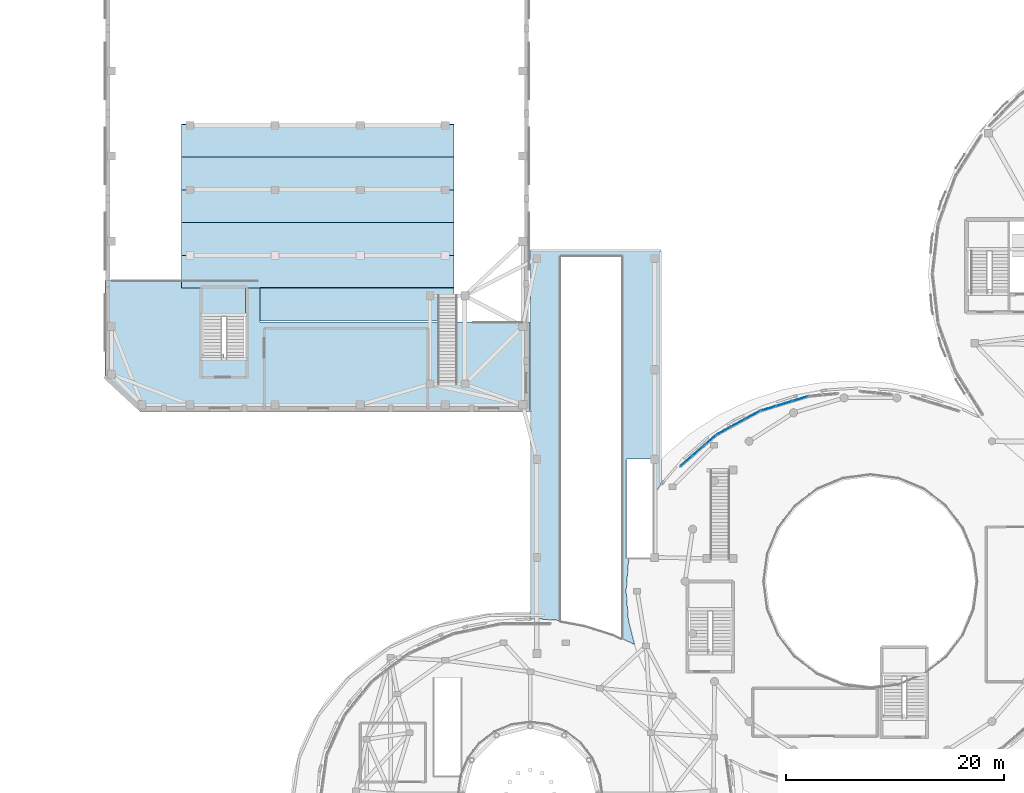
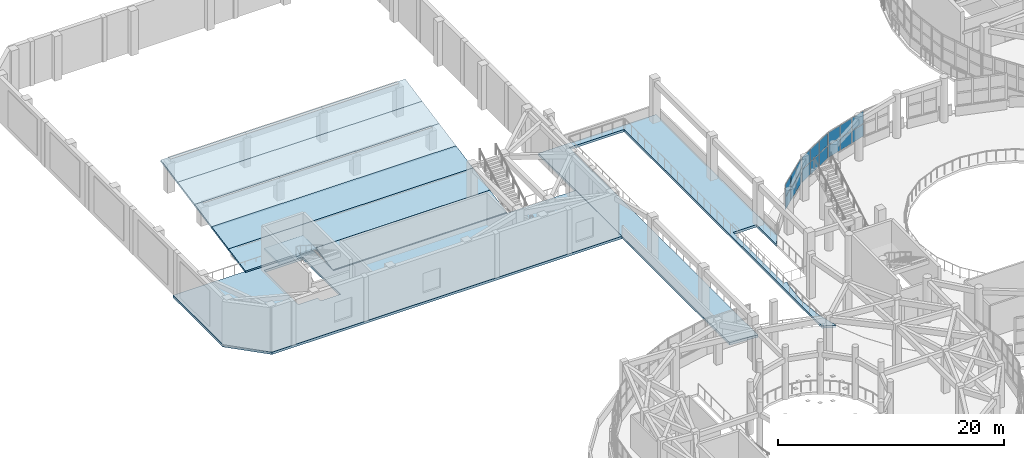
# One storey, part 62 of 98: 18 plates, 9 slabs, 4 elements without a shape of their own.
"""IFC4 building model written with IfcOpenShell, lengths in metres."""

import ifcopenshell
import ifcopenshell.guid

model = None  # the IFC model being written
_history = None  # IfcOwnerHistory: only IFC2X3 demands one
_inside = {}  # id of a spatial element -> (the spatial element, [elements in it])
_under = {}  # id of a project, library or spatial element -> (it, [spatial elements below it])
_declared = {}  # id of a project -> (the project, [libraries it declares])
_typed = {}  # id of a type object -> (the type object, [elements of that type])
_made_of = {}  # id of a material, layer set ... -> (it, [elements and type objects made of it])


def new_model(schema):
    """Start an empty IFC model of exactly this schema.

    Asked for "IFC4X3", IfcOpenShell would pick the latest addendum, in which some entities
    have other attributes; the version numbers below select the first issue.
    IFC2X3 requires an IfcOwnerHistory on every rooted entity: one is made here for all.
    """
    global model, _history
    if schema == "IFC4X3":
        model = ifcopenshell.file(schema_version=(4, 3, 0, 0))
    else:
        model = ifcopenshell.file(schema=schema)
    _inside.clear()
    _under.clear()
    _declared.clear()
    _typed.clear()
    _made_of.clear()
    _history = None
    if model.schema == "IFC2X3":
        org = make("IfcOrganization", Name="unknown")
        user = make(
            "IfcPersonAndOrganization",
            ThePerson=make("IfcPerson", FamilyName="unknown"),
            TheOrganization=org,
        )
        app = make(
            "IfcApplication",
            ApplicationDeveloper=org,
            Version="unknown",
            ApplicationFullName="unknown",
            ApplicationIdentifier="unknown",
        )
        _history = make(
            "IfcOwnerHistory",
            OwningUser=user,
            OwningApplication=app,
            ChangeAction="ADDED",
            CreationDate=0,
        )
    return model


def make(cls, **values):
    """One entity of the class cls with the attributes given. An attribute that is None is left unset."""
    return model.create_entity(
        cls, **{name: value for name, value in values.items() if value is not None}
    )


def rooted(cls, **values):
    """An entity with a GlobalId (a new one), such as an element, a storey or a relation."""
    return make(cls, GlobalId=ifcopenshell.guid.new(), OwnerHistory=_history, **values)


def si_unit(unit_type, name, prefix=None):
    """IfcSIUnit, for example si_unit("LENGTHUNIT", "METRE", prefix="MILLI")."""
    return make("IfcSIUnit", UnitType=unit_type, Prefix=prefix, Name=name)


def assignment(units):
    """IfcUnitAssignment: the units of a project."""
    return None if units is None else make("IfcUnitAssignment", Units=units)


def point(xyz):
    """IfcCartesianPoint."""
    return None if xyz is None else make("IfcCartesianPoint", Coordinates=xyz)


def direction(xyz):
    """IfcDirection."""
    return None if xyz is None else make("IfcDirection", DirectionRatios=xyz)


def frame(location, z_axis=None, x_axis=None):
    """IfcAxis2Placement3D, a coordinate frame: its origin and axes. An axis left out is left unset."""
    return make(
        "IfcAxis2Placement3D",
        Location=point(location),
        Axis=direction(z_axis),
        RefDirection=direction(x_axis),
    )


def frame_2d(location, x_axis=None):
    """IfcAxis2Placement2D, a coordinate frame in the plane: its origin and x axis."""
    return make(
        "IfcAxis2Placement2D", Location=point(location), RefDirection=direction(x_axis)
    )


def origin():
    """The frame at (0, 0, 0) with its axes left unset."""
    return frame((0.0, 0.0, 0.0))


def origin_2d():
    """The frame at (0, 0) in the plane with its x axis left unset."""
    return frame_2d((0.0, 0.0))


def place(relative_to, where):
    """IfcLocalPlacement: puts the frame where relative to a parent placement (None: the world)."""
    return make(
        "IfcLocalPlacement", PlacementRelTo=relative_to, RelativePlacement=where
    )


def context(
    kind, dimensions, precision=None, world=None, true_north=None, identifier=None
):
    """IfcGeometricRepresentationContext, for example the 3D "Model" context."""
    return make(
        "IfcGeometricRepresentationContext",
        ContextIdentifier=identifier,
        ContextType=kind,
        CoordinateSpaceDimension=dimensions,
        Precision=precision,
        WorldCoordinateSystem=world,
        TrueNorth=true_north,
    )


def subcontext(parent, identifier, kind, view, scale=None):
    """IfcGeometricRepresentationSubContext, for example "Body" below "Model"."""
    return make(
        "IfcGeometricRepresentationSubContext",
        ContextIdentifier=identifier,
        ContextType=kind,
        ParentContext=parent,
        TargetScale=scale,
        TargetView=view,
    )


def project(units=None, contexts=None):
    """IfcProject with its units and contexts."""
    return rooted(
        "IfcProject",
        Name="project",
        RepresentationContexts=contexts,
        UnitsInContext=assignment(units),
    )


def spatial(cls, under=None, at=None, **own):
    """A site, building, storey or space (cls), placed at a placement, below another one or the project."""
    s = rooted(cls, ObjectPlacement=at, **own)
    if under is not None:
        _under.setdefault(under.id(), (under, []))[1].append(s)
    return s


def polyline(points):
    """IfcPolyline through the points."""
    return make("IfcPolyline", Points=[point(p) for p in points])


def profile(cls, at=None, kind="AREA", **sizes):
    """A parametric profile (cls). Its sizes go by their IFC names, for example OverallWidth=200.0."""
    return make(cls, ProfileType=kind, Position=at, **sizes)


def rectangle(**sizes):
    """IfcRectangleProfileDef."""
    return profile("IfcRectangleProfileDef", **sizes)


def outline(outer, holes=None, kind="AREA"):
    """IfcArbitraryClosedProfileDef: a profile drawn as a closed curve; with holes, ...WithVoids."""
    if holes is None:
        return make("IfcArbitraryClosedProfileDef", ProfileType=kind, OuterCurve=outer)
    return make(
        "IfcArbitraryProfileDefWithVoids",
        ProfileType=kind,
        OuterCurve=outer,
        InnerCurves=holes,
    )


def extrude(swept, where, along, depth):
    """IfcExtrudedAreaSolid: the profile swept, set in the frame where, extruded along a direction by depth."""
    return make(
        "IfcExtrudedAreaSolid",
        SweptArea=swept,
        Position=where,
        ExtrudedDirection=direction(along),
        Depth=depth,
    )


def shape(context_of_items, identifier, shape_type, items):
    """IfcShapeRepresentation: the items that make up one representation, for example the "Body"."""
    return make(
        "IfcShapeRepresentation",
        ContextOfItems=context_of_items,
        RepresentationIdentifier=identifier,
        RepresentationType=shape_type,
        Items=items,
    )


def material(Name=None, Category=None):
    """IfcMaterial."""
    return make("IfcMaterial", Name=Name, Category=Category)


def layer(
    of_material, thickness, ventilated=None, Name=None, Category=None, Priority=None
):
    """IfcMaterialLayer: one layer of a wall or slab, of a material (None: an air gap)."""
    return make(
        "IfcMaterialLayer",
        Material=of_material,
        LayerThickness=thickness,
        IsVentilated=ventilated,
        Name=Name,
        Category=Category,
        Priority=Priority,
    )


def layer_set(layers, Name=None):
    """IfcMaterialLayerSet."""
    return make("IfcMaterialLayerSet", MaterialLayers=layers, LayerSetName=Name)


def made_of(thing, what):
    """Note that an element or type object is made of a material, layer set ...; save() writes the relation."""
    if what is not None:
        _made_of.setdefault(what.id(), (what, []))[1].append(thing)
    return thing


def type_object(cls, material=None, **own):
    """A type object (cls), such as IfcWallType, which elements share."""
    return made_of(rooted(cls, **own), material)


def element(
    cls,
    number,
    at=None,
    inside=None,
    cuts=None,
    type_object=None,
    material=None,
    context=None,
    identifier="Body",
    shape_type=None,
    held_by="IfcProductDefinitionShape",
    body=None,
    shapes=None,
    **own,
):
    """One element of the class cls, such as IfcWall. Its Tag is "e" and its number.

    at: its placement. inside: the storey or other place that contains it. cuts: it is an
    opening in that element (IfcRelVoidsElement). A single representation is given by context,
    identifier, shape_type and body (its items); several are given by shapes. held_by: the class
    of the entity that holds the representations. save() writes the other relations.
    """
    e = rooted(cls, Tag="e%d" % number, ObjectPlacement=at, **own)
    if body is not None:
        shapes = [shape(context, identifier, shape_type, body)]
    if shapes is not None:
        e.Representation = make(held_by, Representations=shapes)
    if inside is not None:
        _inside.setdefault(inside.id(), (inside, []))[1].append(e)
    if cuts is not None:
        rooted(
            "IfcRelVoidsElement", RelatingBuildingElement=cuts, RelatedOpeningElement=e
        )
    if type_object is not None:
        _typed.setdefault(type_object.id(), (type_object, []))[1].append(e)
    return made_of(e, material)


def aggregate(whole, parts):
    """IfcRelAggregates: a whole, such as a stair, and the parts it consists of."""
    return rooted("IfcRelAggregates", RelatingObject=whole, RelatedObjects=parts)


def save(model, path):
    """Write the relations noted so far, then the file.

    IfcRelAggregates (storeys below a building ...), IfcRelContainedInSpatialStructure (elements
    in a storey), IfcRelDefinesByType, IfcRelAssociatesMaterial and IfcRelDeclares: one each for
    every whole, place, type object, material and project.
    """
    for whole, parts in _under.values():
        aggregate(whole, parts)
    for where, things in _inside.values():
        rooted(
            "IfcRelContainedInSpatialStructure",
            RelatedElements=things,
            RelatingStructure=where,
        )
    for kind, things in _typed.values():
        rooted("IfcRelDefinesByType", RelatedObjects=things, RelatingType=kind)
    for what, things in _made_of.values():
        rooted("IfcRelAssociatesMaterial", RelatedObjects=things, RelatingMaterial=what)
    for by, libraries in _declared.values():
        rooted("IfcRelDeclares", RelatingContext=by, RelatedDefinitions=libraries)
    model.write(path)


model = new_model("IFC4")

# Units and contexts
model_context = context("Model", 3, precision=1e-05, world=origin(), true_north=direction((0.0, 1.0)))
body_context = subcontext(model_context, "Body", "Model", "MODEL_VIEW")
ifc_project = project(units=[si_unit("LENGTHUNIT", "METRE"), si_unit("AREAUNIT", "SQUARE_METRE"), si_unit("VOLUMEUNIT", "CUBIC_METRE"), si_unit("PLANEANGLEUNIT", "RADIAN"), si_unit("MASSUNIT", "GRAM", prefix="KILO")], contexts=[model_context])

# Site, building, storey
site_placement = place(None, origin())
site = spatial("IfcSite", under=ifc_project, at=site_placement, CompositionType="ELEMENT")
building_placement = place(site_placement, origin())
building = spatial("IfcBuilding", under=site, at=building_placement, Name="Pelvatis Terrace Science Centre", CompositionType="ELEMENT")
storey_placement = place(building_placement, frame((0.0, 0.0, 5.39990234375)))
storey = spatial("IfcBuildingStorey", under=building, at=storey_placement, Name="L01", CompositionType="ELEMENT", Elevation=5.39990234375)

# Curtain wall, plates
ifc_material_1 = material(Name="Bronze-anodised aluminium and laminated glass", Category="aluminium")
ifc_layer_1 = layer(ifc_material_1, 0.199951171875)
ifc_layer_set_1 = layer_set([ifc_layer_1], Name="Bronze-anodised aluminium and laminated glass")
curtain_wall_type = type_object("IfcCurtainWallType", Name="CW-RIBBON-B", PredefinedType="NOTDEFINED", material=ifc_layer_set_1)
curtain_wall_1_placement = place(storey_placement, origin())
curtain_wall_1 = element("IfcCurtainWall", 1, at=curtain_wall_1_placement, inside=storey, type_object=curtain_wall_type, Name="Ribbon curtain wall CW-065 (L01)", PredefinedType="NOTDEFINED")
ifc_material_2 = material(Name="Low-e laminated solar-control double glazing", Category="glass")
ifc_layer_2 = layer(ifc_material_2, 0.031982421875)
ifc_layer_set_2 = layer_set([ifc_layer_2], Name="Low-e laminated solar-control double glazing")
plate_type = type_object("IfcPlateType", Name="CWP-IGU-32", PredefinedType="CURTAIN_PANEL", material=ifc_layer_set_2)
plate_1_placement = place(storey_placement, frame((71.558837890625, 71.35888671875, 1.0849609375), z_axis=(0.0, 0.0, 1.0), x_axis=(-0.956494312302, -0.291750973492, 0.0)))
plate_1 = element("IfcPlate", 2, at=plate_1_placement, type_object=plate_type, Name="CW-065 panel 1.1", PredefinedType="CURTAIN_PANEL", context=body_context, shape_type="SweptSolid", body=[
    extrude(rectangle(XDim=1.453125, YDim=0.031982421875, at=origin_2d()), origin(), (0.0, 0.0, 1.0), 1.322509765625),
])
plate_2_placement = place(storey_placement, frame((71.558837890625, 71.35888671875, 2.47265625), z_axis=(0.0, 0.0, 1.0), x_axis=(-0.956494312302, -0.291750973492, 0.0)))
plate_2 = element("IfcPlate", 3, at=plate_2_placement, type_object=plate_type, Name="CW-065 panel 1.2", PredefinedType="CURTAIN_PANEL", context=body_context, shape_type="SweptSolid", body=[
    extrude(rectangle(XDim=1.453125, YDim=0.031982421875, at=origin_2d()), origin(), (0.0, 0.0, 1.0), 1.322509765625),
])
plate_3_placement = place(storey_placement, frame((70.09130859375, 70.911376953125, 1.0849609375), z_axis=(0.0, 0.0, 1.0), x_axis=(-0.956494312302, -0.291750973492, 0.0)))
plate_3 = element("IfcPlate", 4, at=plate_3_placement, type_object=plate_type, Name="CW-065 panel 2.1", PredefinedType="CURTAIN_PANEL", context=body_context, shape_type="SweptSolid", body=[
    extrude(rectangle(XDim=1.485595703125, YDim=0.031982421875, at=origin_2d()), origin(), (0.0, 0.0, 1.0), 1.322509765625),
])
plate_4_placement = place(storey_placement, frame((70.09130859375, 70.911376953125, 2.47265625), z_axis=(0.0, 0.0, 1.0), x_axis=(-0.956494312302, -0.291750973492, 0.0)))
plate_4 = element("IfcPlate", 5, at=plate_4_placement, type_object=plate_type, Name="CW-065 panel 2.2", PredefinedType="CURTAIN_PANEL", context=body_context, shape_type="SweptSolid", body=[
    extrude(rectangle(XDim=1.485595703125, YDim=0.031982421875, at=origin_2d()), origin(), (0.0, 0.0, 1.0), 1.322509765625),
])
plate_5_placement = place(storey_placement, frame((68.623779296875, 70.463623046875, 1.0849609375), z_axis=(0.0, 0.0, 1.0), x_axis=(-0.956494312302, -0.291750973492, 0.0)))
plate_5 = element("IfcPlate", 6, at=plate_5_placement, type_object=plate_type, Name="CW-065 panel 3.1", PredefinedType="CURTAIN_PANEL", context=body_context, shape_type="SweptSolid", body=[
    extrude(rectangle(XDim=1.453125, YDim=0.031982421875, at=origin_2d()), origin(), (0.0, 0.0, 1.0), 1.322509765625),
])
plate_6_placement = place(storey_placement, frame((68.623779296875, 70.463623046875, 2.47265625), z_axis=(0.0, 0.0, 1.0), x_axis=(-0.956494312302, -0.291750973492, 0.0)))
plate_6 = element("IfcPlate", 7, at=plate_6_placement, type_object=plate_type, Name="CW-065 panel 3.2", PredefinedType="CURTAIN_PANEL", context=body_context, shape_type="SweptSolid", body=[
    extrude(rectangle(XDim=1.453125, YDim=0.031982421875, at=origin_2d()), origin(), (0.0, 0.0, 1.0), 1.322509765625),
])
aggregate(curtain_wall_1, [plate_1, plate_2, plate_3, plate_4, plate_5, plate_6])

curtain_wall_2_placement = place(storey_placement, origin())
curtain_wall_2 = element("IfcCurtainWall", 8, at=curtain_wall_2_placement, inside=storey, type_object=curtain_wall_type, Name="Ribbon curtain wall CW-066 (L01)", PredefinedType="NOTDEFINED")
plate_7_placement = place(storey_placement, frame((67.187255859375, 69.860595703125, 1.0849609375), z_axis=(0.0, 0.0, 1.0), x_axis=(-0.877046008248, -0.480406389857, 0.0)))
plate_7 = element("IfcPlate", 9, at=plate_7_placement, type_object=plate_type, Name="CW-066 panel 1.1", PredefinedType="CURTAIN_PANEL", context=body_context, shape_type="SweptSolid", body=[
    extrude(rectangle(XDim=1.41943359375, YDim=0.031982421875, at=origin_2d()), origin(), (0.0, 0.0, 1.0), 1.322509765625),
])
plate_8_placement = place(storey_placement, frame((67.187255859375, 69.860595703125, 2.47265625), z_axis=(0.0, 0.0, 1.0), x_axis=(-0.877046008248, -0.480406389857, 0.0)))
plate_8 = element("IfcPlate", 10, at=plate_8_placement, type_object=plate_type, Name="CW-066 panel 1.2", PredefinedType="CURTAIN_PANEL", context=body_context, shape_type="SweptSolid", body=[
    extrude(rectangle(XDim=1.41943359375, YDim=0.031982421875, at=origin_2d()), origin(), (0.0, 0.0, 1.0), 1.322509765625),
])
plate_9_placement = place(storey_placement, frame((65.87109375, 69.1396484375, 1.0849609375), z_axis=(0.0, 0.0, 1.0), x_axis=(-0.877046008248, -0.480406389857, 0.0)))
plate_9 = element("IfcPlate", 11, at=plate_9_placement, type_object=plate_type, Name="CW-066 panel 2.1", PredefinedType="CURTAIN_PANEL", context=body_context, shape_type="SweptSolid", body=[
    extrude(rectangle(XDim=1.451904296875, YDim=0.031982421875, at=origin_2d()), origin(), (0.0, 0.0, 1.0), 1.322509765625),
])
plate_10_placement = place(storey_placement, frame((65.87109375, 69.1396484375, 2.47265625), z_axis=(0.0, 0.0, 1.0), x_axis=(-0.877046008248, -0.480406389857, 0.0)))
plate_10 = element("IfcPlate", 12, at=plate_10_placement, type_object=plate_type, Name="CW-066 panel 2.2", PredefinedType="CURTAIN_PANEL", context=body_context, shape_type="SweptSolid", body=[
    extrude(rectangle(XDim=1.451904296875, YDim=0.031982421875, at=origin_2d()), origin(), (0.0, 0.0, 1.0), 1.322509765625),
])
plate_11_placement = place(storey_placement, frame((64.554931640625, 68.418701171875, 1.0849609375), z_axis=(0.0, 0.0, 1.0), x_axis=(-0.877046008248, -0.480406389857, 0.0)))
plate_11 = element("IfcPlate", 13, at=plate_11_placement, type_object=plate_type, Name="CW-066 panel 3.1", PredefinedType="CURTAIN_PANEL", context=body_context, shape_type="SweptSolid", body=[
    extrude(rectangle(XDim=1.41943359375, YDim=0.031982421875, at=origin_2d()), origin(), (0.0, 0.0, 1.0), 1.322509765625),
])
plate_12_placement = place(storey_placement, frame((64.554931640625, 68.418701171875, 2.47265625), z_axis=(0.0, 0.0, 1.0), x_axis=(-0.877046008248, -0.480406389857, 0.0)))
plate_12 = element("IfcPlate", 14, at=plate_12_placement, type_object=plate_type, Name="CW-066 panel 3.2", PredefinedType="CURTAIN_PANEL", context=body_context, shape_type="SweptSolid", body=[
    extrude(rectangle(XDim=1.41943359375, YDim=0.031982421875, at=origin_2d()), origin(), (0.0, 0.0, 1.0), 1.322509765625),
])
aggregate(curtain_wall_2, [plate_7, plate_8, plate_9, plate_10, plate_11, plate_12])

curtain_wall_3_placement = place(storey_placement, origin())
curtain_wall_3 = element("IfcCurtainWall", 15, at=curtain_wall_3_placement, inside=storey, type_object=curtain_wall_type, Name="Ribbon curtain wall CW-067 (L01)", PredefinedType="NOTDEFINED")
plate_13_placement = place(storey_placement, frame((63.3076171875, 67.5517578125, 1.0849609375), z_axis=(0.0, 0.0, 1.0), x_axis=(-0.753792835863, -0.657112137007, 0.0)))
plate_13 = element("IfcPlate", 16, at=plate_13_placement, type_object=plate_type, Name="CW-067 panel 1.1", PredefinedType="CURTAIN_PANEL", context=body_context, shape_type="SweptSolid", body=[
    extrude(rectangle(XDim=1.37646484375, YDim=0.031982421875, at=origin_2d()), origin(), (0.0, 0.0, 1.0), 1.322509765625),
])
plate_14_placement = place(storey_placement, frame((63.3076171875, 67.5517578125, 2.47265625), z_axis=(0.0, 0.0, 1.0), x_axis=(-0.753792835863, -0.657112137007, 0.0)))
plate_14 = element("IfcPlate", 17, at=plate_14_placement, type_object=plate_type, Name="CW-067 panel 1.2", PredefinedType="CURTAIN_PANEL", context=body_context, shape_type="SweptSolid", body=[
    extrude(rectangle(XDim=1.37646484375, YDim=0.031982421875, at=origin_2d()), origin(), (0.0, 0.0, 1.0), 1.322509765625),
])
plate_15_placement = place(storey_placement, frame((62.208984375, 66.59375, 1.0849609375), z_axis=(0.0, 0.0, 1.0), x_axis=(-0.753792835863, -0.657112137007, 0.0)))
plate_15 = element("IfcPlate", 18, at=plate_15_placement, type_object=plate_type, Name="CW-067 panel 2.1", PredefinedType="CURTAIN_PANEL", context=body_context, shape_type="SweptSolid", body=[
    extrude(rectangle(XDim=1.408935546875, YDim=0.031982421875, at=origin_2d()), origin(), (0.0, 0.0, 1.0), 1.322509765625),
])
plate_16_placement = place(storey_placement, frame((62.208984375, 66.59375, 2.47265625), z_axis=(0.0, 0.0, 1.0), x_axis=(-0.753792835863, -0.657112137007, 0.0)))
plate_16 = element("IfcPlate", 19, at=plate_16_placement, type_object=plate_type, Name="CW-067 panel 2.2", PredefinedType="CURTAIN_PANEL", context=body_context, shape_type="SweptSolid", body=[
    extrude(rectangle(XDim=1.408935546875, YDim=0.031982421875, at=origin_2d()), origin(), (0.0, 0.0, 1.0), 1.322509765625),
])
plate_17_placement = place(storey_placement, frame((61.110107421875, 65.635986328125, 1.0849609375), z_axis=(0.0, 0.0, 1.0), x_axis=(-0.753792835863, -0.657112137007, 0.0)))
plate_17 = element("IfcPlate", 20, at=plate_17_placement, type_object=plate_type, Name="CW-067 panel 3.1", PredefinedType="CURTAIN_PANEL", context=body_context, shape_type="SweptSolid", body=[
    extrude(rectangle(XDim=1.37646484375, YDim=0.031982421875, at=origin_2d()), origin(), (0.0, 0.0, 1.0), 1.322509765625),
])
plate_18_placement = place(storey_placement, frame((61.110107421875, 65.635986328125, 2.47265625), z_axis=(0.0, 0.0, 1.0), x_axis=(-0.753792835863, -0.657112137007, 0.0)))
plate_18 = element("IfcPlate", 21, at=plate_18_placement, type_object=plate_type, Name="CW-067 panel 3.2", PredefinedType="CURTAIN_PANEL", context=body_context, shape_type="SweptSolid", body=[
    extrude(rectangle(XDim=1.37646484375, YDim=0.031982421875, at=origin_2d()), origin(), (0.0, 0.0, 1.0), 1.322509765625),
])
aggregate(curtain_wall_3, [plate_13, plate_14, plate_15, plate_16, plate_17, plate_18])

# Slabs
ifc_material_3 = material(Name="Concrete C35/45", Category="concrete")
ifc_layer_3 = layer(ifc_material_3, 0.260009765625)
ifc_layer_set_3 = layer_set([ifc_layer_3], Name="Concrete C35/45")
slab_type_1 = type_object("IfcSlabType", Name="SLB-FLR-260", PredefinedType="FLOOR", material=ifc_layer_set_3)
slab_1_placement = place(storey_placement, frame((0.0, 0.0, -0.260009765625)))
element("IfcSlab", 22, at=slab_1_placement, inside=storey, type_object=slab_type_1, Name="L01 Covered Science Passage upper gallery slab", PredefinedType="FLOOR", context=body_context, shape_type="SweptSolid", body=[
    extrude(outline(polyline([(58.800048828125, 85.0), (58.800048828125, 63.5322265625), (58.0, 62.251953125), (58.0, 65.800048828125), (55.60009765625, 65.800048828125), (55.60009765625, 56.800048828125), (55.906494140625, 56.800048828125), (55.7978515625, 56.36279296875), (55.580078125, 53.698486328125), (55.798095703125, 51.035400390625), (56.349609375, 48.819580078125), (55.199951171875, 49.355712890625), (55.199951171875, 84.39990234375), (49.60009765625, 84.39990234375), (49.60009765625, 50.966552734375), (49.133544921875, 51.052978515625), (46.800048828125, 51.195556640625), (46.800048828125, 85.0), (58.800048828125, 85.0)])), origin(), (0.0, 0.0, 1.0), 0.260009765625),
])
slab_2_placement = place(storey_placement, frame((0.0, 0.0, -0.260009765625)))
element("IfcSlab", 23, at=slab_2_placement, inside=storey, type_object=slab_type_1, Name="L01 Science Theatre concourse floor slab", PredefinedType="FLOOR", context=body_context, shape_type="SweptSolid", body=[
    extrude(outline(polyline([(7.800048828125, 82.199951171875), (22.0, 82.199951171875), (22.0, 78.39990234375), (46.780029296875, 78.39990234375), (46.780029296875, 70.199951171875), (11.0, 70.199951171875), (7.800048828125, 73.39990234375), (7.800048828125, 82.199951171875)]), holes=[polyline([(18.699951171875, 75.419921875), (18.699951171875, 74.919921875), (20.699951171875, 74.919921875), (20.699951171875, 81.5), (16.699951171875, 81.5), (16.699951171875, 75.419921875), (18.699951171875, 75.419921875)])]), origin(), (0.0, 0.0, 1.0), 0.260009765625),
])

# Stair, slab
ifc_material_4 = material(Name="Concrete C35/45", Category="concrete")
stair_type = type_object("IfcStairType", Name="STR-2RUN-1650-48", PredefinedType="TWO_STRAIGHT_RUN_STAIR", material=ifc_material_4)
stair_placement = place(storey_placement, origin())
stair = element("IfcStair", 24, at=stair_placement, inside=storey, type_object=stair_type, Name="Protected exit stair ST-07-L01", PredefinedType="TWO_STRAIGHT_RUN_STAIR")
ifc_material_5 = material(Name="Concrete C35/45", Category="concrete")
ifc_layer_4 = layer(ifc_material_5, 0.215087890625)
ifc_layer_set_4 = layer_set([ifc_layer_4], Name="Concrete C35/45")
slab_type_2 = type_object("IfcSlabType", Name="SLB-LND-215", PredefinedType="LANDING", material=ifc_layer_set_4)
slab_3_placement = place(storey_placement, frame((0.0, 0.0, 2.18505859375)))
slab_3 = element("IfcSlab", 25, at=slab_3_placement, type_object=slab_type_2, Name="ST-07-L01 landing 1", PredefinedType="LANDING", context=body_context, shape_type="SweptSolid", body=[
    extrude(outline(polyline([(16.7099609375, 78.89990234375), (20.68994140625, 78.89990234375), (20.68994140625, 81.489990234375), (16.7099609375, 81.489990234375), (16.7099609375, 78.89990234375)])), origin(), (0.0, 0.0, 1.0), 0.215087890625),
])
aggregate(stair, [slab_3])

# Slabs
ifc_material_6 = material(Name="Concrete C35/45", Category="concrete")
ifc_layer_5 = layer(ifc_material_6, 0.205078125)
ifc_layer_set_5 = layer_set([ifc_layer_5], Name="Concrete C35/45")
slab_type_3 = type_object("IfcSlabType", Name="SLB-TIER-205", PredefinedType="FLOOR", material=ifc_layer_set_5)
slab_4_placement = place(storey_placement, frame((22.0, 78.5, 0.0), z_axis=(0.0, -0.190767024252, 0.981635340877), x_axis=(1.0, 0.0, 0.0)))
element("IfcSlab", 26, at=slab_4_placement, inside=storey, type_object=slab_type_3, Name="Science Theatre raked seating tier 1", PredefinedType="FLOOR", context=body_context, shape_type="SweptSolid", body=[
    extrude(outline(polyline([(0.0, 0.0), (17.800048828125, 0.0), (17.800048828125, 3.056124688136274), (0.0, 3.056124688136274), (0.0, 0.0)])), origin(), (0.0, 0.0, -1.0), 0.205078125),
])
for number, where, z_axis, x_axis, name in (
    (27, (14.800048828125, 81.5, 0.5830078125), (0.0, -0.190767024252, 0.981635340877), (1.0, 0.0, 0.0), "Science Theatre raked seating tier 2"),
    (28, (14.800048828125, 84.5, 1.166015625), (0.0, -0.190767024252, 0.981635340877), (1.0, 0.0, 0.0), "Science Theatre raked seating tier 3"),
    (29, (14.800048828125, 87.5, 1.7490234375), (0.0, -0.190767024252, 0.981635340877), (1.0, 0.0, 0.0), "Science Theatre raked seating tier 4"),
    (30, (14.800048828125, 90.5, 2.33203125), (0.0, -0.190767024252, 0.981635340877), (1.0, 0.0, 0.0), "Science Theatre raked seating tier 5"),
    (31, (14.800048828125, 93.5, 2.9150390625), (0.0, -0.190767024252, 0.981635340877), (1.0, 0.0, 0.0), "Science Theatre raked seating tier 6"),
):
    element("IfcSlab", number, at=place(storey_placement, frame(where, z_axis=z_axis, x_axis=x_axis)), inside=storey, type_object=slab_type_3, Name=name, PredefinedType="FLOOR", context=body_context, shape_type="SweptSolid", body=[
        extrude(outline(polyline([(0.0, 0.0), (25.0, 0.0), (25.0, 3.056124688136274), (0.0, 3.056124688136274), (0.0, 0.0)])), origin(), (0.0, 0.0, -1.0), 0.205078125),
    ])

save(model, "model.ifc")
